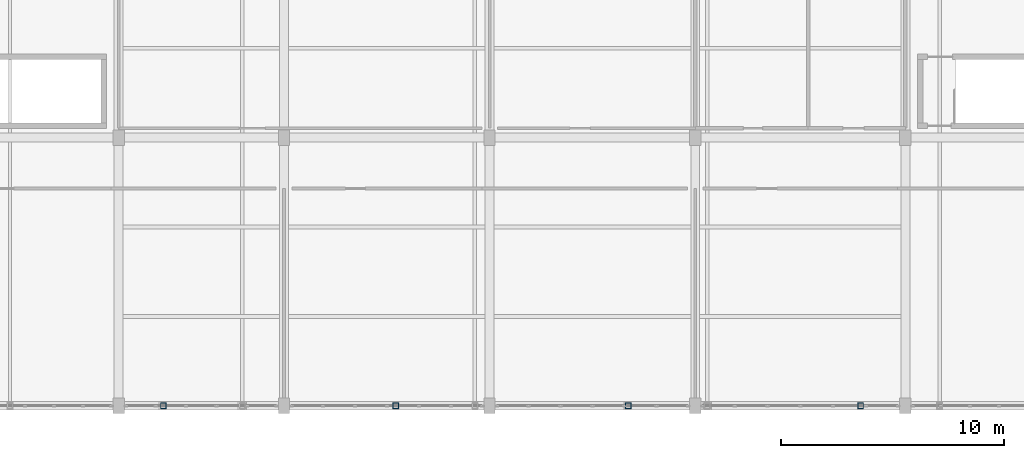
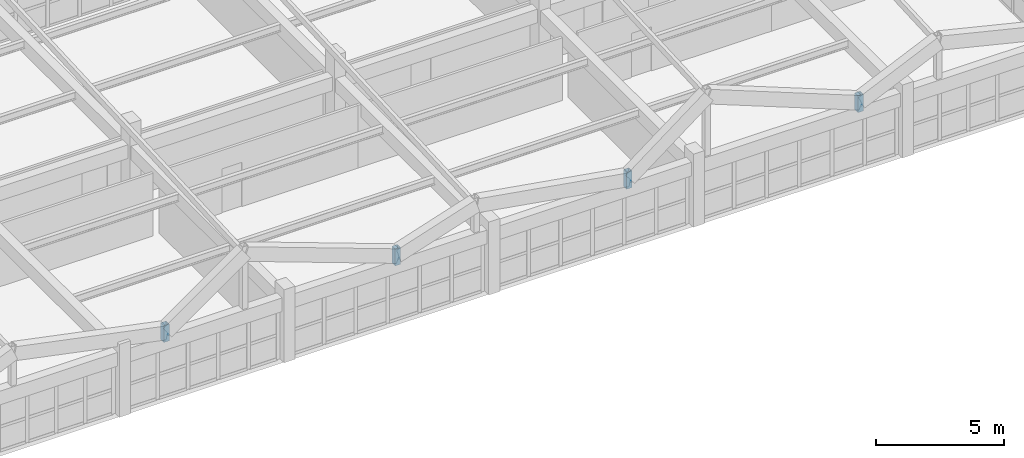
# One storey, part 65 of 127: 4 members.
"""IFC4 building model written with IfcOpenShell, lengths in metres."""

from ifc_helpers import new_model, si_unit, direction, frame, origin, origin_2d, place, context, subcontext, project, spatial, hollow_rectangle, extrude, material, material_profile, profile_set, type_object, element, save


model = new_model("IFC4")

# Units and contexts
model_context = context("Model", 3, precision=1e-05, world=origin(), true_north=direction((0.0, 1.0)))
body_context = subcontext(model_context, "Body", "Model", "MODEL_VIEW")
ifc_project = project(units=[si_unit("LENGTHUNIT", "METRE"), si_unit("AREAUNIT", "SQUARE_METRE"), si_unit("VOLUMEUNIT", "CUBIC_METRE"), si_unit("PLANEANGLEUNIT", "RADIAN"), si_unit("MASSUNIT", "GRAM", prefix="KILO")], contexts=[model_context])

# Site, building, storey
site_placement = place(None, origin())
site = spatial("IfcSite", under=ifc_project, at=site_placement, CompositionType="ELEMENT")
building_placement = place(site_placement, origin())
building = spatial("IfcBuilding", under=site, at=building_placement, Name="Kestramere Prow Commons", CompositionType="ELEMENT")
storey_placement = place(building_placement, frame((0.0, 0.0, 8.39990234375)))
storey = spatial("IfcBuildingStorey", under=building, at=storey_placement, Name="L02", CompositionType="ELEMENT", Elevation=8.39990234375)

# Members
ifc_material = material(Name="Steel S355JR", Category="steel")
ifc_material_profile = material_profile(ifc_material, hollow_rectangle(XDim=0.25, YDim=0.25, WallThickness=0.012451171875, at=origin_2d()), Name="SHS 250x250x12.5")
ifc_profile_set = profile_set([ifc_material_profile], Name="Steel S355JR")
member_type = type_object("IfcMemberType", Name="BRAPX-01 SHS 250x250x12.5", PredefinedType="BRACE", material=ifc_profile_set)
for number, where, z_axis, x_axis, name in (
    (1, (70.39990234375, 0.0, 2.675048828125), (0.0, 0.0, 1.0), (1.0, 0.0, 0.0), "Market Folded Valley Diagonal Brace 2-0"),
    (2, (80.800048828125, 0.0, 2.675048828125), (0.0, 0.0, 1.0), (1.0, 0.0, 0.0), "Market Folded Valley Diagonal Brace 3-0"),
    (3, (91.199951171875, 0.0, 2.675048828125), (0.0, 0.0, 1.0), (1.0, 0.0, 0.0), "Market Folded Valley Diagonal Brace 4-0"),
    (4, (101.60009765625, 0.0, 2.675048828125), (0.0, 0.0, 1.0), (1.0, 0.0, 0.0), "Market Folded Valley Diagonal Brace 5-0"),
):
    element("IfcMember", number, at=place(storey_placement, frame(where, z_axis=z_axis, x_axis=x_axis)), inside=storey, type_object=member_type, Name=name, PredefinedType="BRACE", context=body_context, shape_type="SweptSolid", body=[
        extrude(hollow_rectangle(XDim=0.25, YDim=0.25, WallThickness=0.012451171875, at=origin_2d()), origin(), (0.0, 0.0, 1.0), 0.795166015625),
    ])

save(model, "model.ifc")
